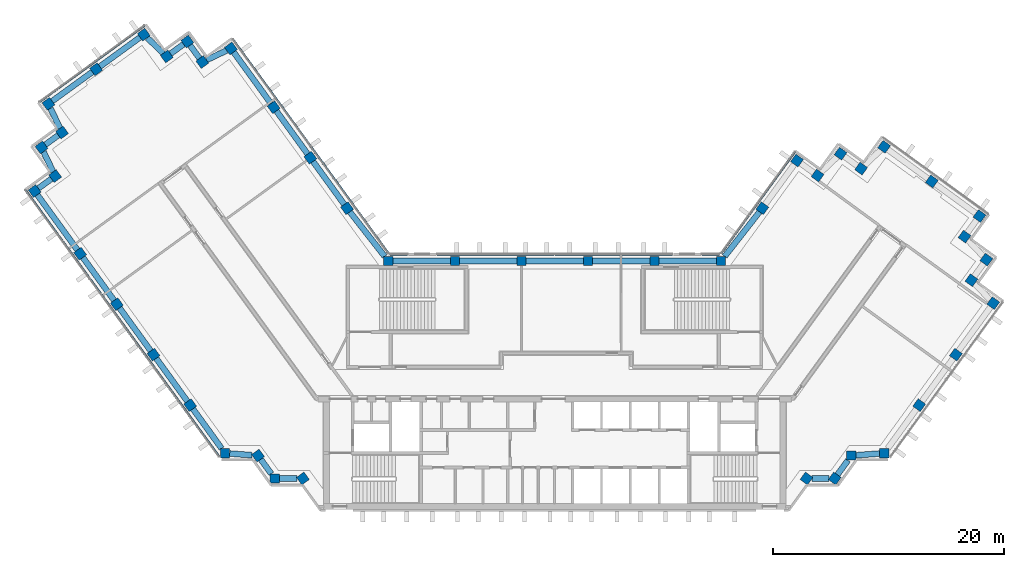
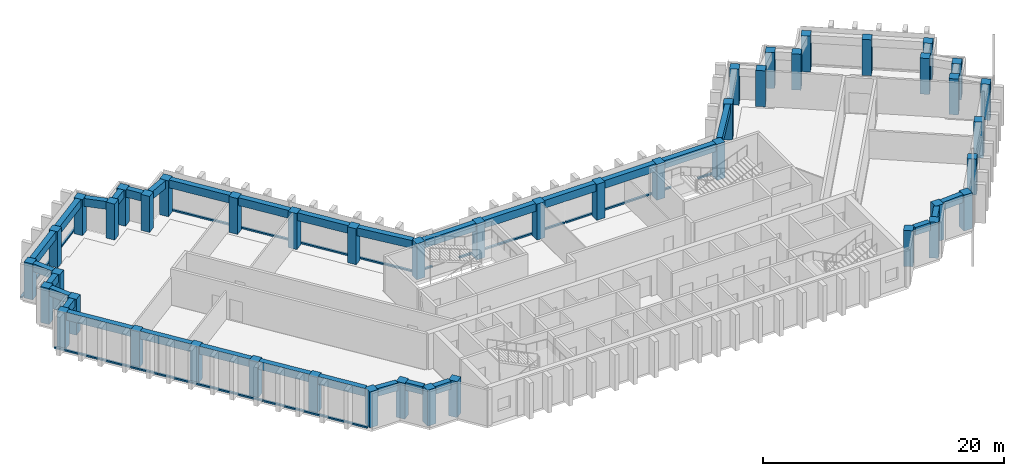
"""IFC4 building model written with IfcOpenShell, lengths in metres."""

from ifc_helpers import new_model, si_unit, direction, frame, origin, origin_2d, place, context, subcontext, project, spatial, rectangle, extrude, material, material_profile, profile_set, type_object, element, aggregate, save


model = new_model("IFC4")

# Units and contexts
model_context = context("Model", 3, precision=1e-05, world=origin(), true_north=direction((0.0, 1.0)))
body_context = subcontext(model_context, "Body", "Model", "MODEL_VIEW")
ifc_project = project(units=[si_unit("LENGTHUNIT", "METRE"), si_unit("AREAUNIT", "SQUARE_METRE"), si_unit("VOLUMEUNIT", "CUBIC_METRE"), si_unit("PLANEANGLEUNIT", "RADIAN"), si_unit("MASSUNIT", "GRAM", prefix="KILO")], contexts=[model_context])

# Site, building, storey
site_placement = place(None, origin())
site = spatial("IfcSite", under=ifc_project, at=site_placement, CompositionType="ELEMENT")
building_placement = place(site_placement, origin())
building = spatial("IfcBuilding", under=site, at=building_placement, Name="Quipu Civic Tower", CompositionType="ELEMENT")
storey_1_placement = place(building_placement, frame((0.0, 0.0, 214.0)))
storey_1 = spatial("IfcBuildingStorey", under=building, at=storey_1_placement, Name="L50", CompositionType="ELEMENT", Elevation=214.0)

# Columns
ifc_material_1 = material(Name="Concrete C50/60", Category="concrete")
ifc_material_profile_1 = material_profile(ifc_material_1, rectangle(XDim=0.800048828125, YDim=0.800048828125, at=origin_2d()), Name="RC800x800")
ifc_profile_set_1 = profile_set([ifc_material_profile_1], Name="Concrete C50/60")
column_type = type_object("IfcColumnType", Name="Perimeter column RC 800x800 C50/60", PredefinedType="COLUMN", material=ifc_profile_set_1)
for number, where, z_axis, x_axis, name in (
    (1, (-17.9736328125, 15.074951171875, 0.0), (0.0, 0.0, 1.0), (-0.587785252292, 0.809016994375, 0.0), "Column L50 W-IN-01"),
    (2, (-21.1474609375, 19.44384765625, 0.0), (0.0, 0.0, 1.0), (-0.587785252292, 0.809016994375, 0.0), "Column L50 W-IN-02"),
    (3, (-24.3212890625, 23.8125, 0.0), (0.0, 0.0, 1.0), (-0.587785252292, 0.809016994375, 0.0), "Column L50 W-IN-03"),
    (4, (-28.02001953125, 28.905029296875, 0.0), (0.0, 0.0, 1.0), (-0.809016994375, -0.587785252292, 0.0), "Column L50 T-Wi.0-W34"),
    (5, (-30.498779296875, 27.72265625, 0.0), (0.0, 0.0, 1.0), (-0.809016994375, -0.587785252292, 0.0), "Column L50 T-Wi.1-W34"),
    (6, (-31.794921875, 29.5, 0.0), (0.0, 0.0, 1.0), (-0.587785252292, 0.809016994375, 0.0), "Column L50 T-Wi.2-W34"),
    (7, (-33.573974609375, 28.20947265625, 0.0), (0.0, 0.0, 1.0), (-0.587785252292, 0.809016994375, 0.0), "Column L50 T-Wi.3-W34"),
    (8, (-35.56494140625, 30.10009765625, 0.0), (0.0, 0.0, 1.0), (-0.809016994375, -0.587785252292, 0.0), "Column L50 T-Wi.4-W34"),
    (9, (-39.690673828125, 27.10205078125, 0.0), (0.0, 0.0, 1.0), (-0.809016994375, -0.587785252292, 0.0), "Column L50 TIP-W-01-W34"),
    (10, (-43.81494140625, 24.10498046875, 0.0), (0.0, 0.0, 1.0), (-0.809016994375, -0.587785252292, 0.0), "Column L50 T-Wo.0-W34"),
    (11, (-42.635009765625, 21.626220703125, 0.0), (0.0, 0.0, 1.0), (-0.809016994375, -0.587785252292, 0.0), "Column L50 T-Wo.1-W34"),
    (12, (-44.4150390625, 20.3349609375, 0.0), (0.0, 0.0, 1.0), (0.587785252292, -0.809016994375, 0.0), "Column L50 T-Wo.2-W34"),
    (13, (-43.23095703125, 17.8544921875, 0.0), (0.0, 0.0, 1.0), (0.587785252292, -0.809016994375, 0.0), "Column L50 T-Wo.3-W34"),
    (14, (-45.010009765625, 16.56005859375, 0.0), (0.0, 0.0, 1.0), (0.587785252292, -0.809016994375, 0.0), "Column L50 T-Wo.4-W34"),
    (15, (-41.0703125, 11.137451171875, 0.0), (0.0, 0.0, 1.0), (0.587785252292, -0.809016994375, 0.0), "Column L50 W-OUT-04"),
    (16, (-37.896240234375, 6.768798828125, 0.0), (0.0, 0.0, 1.0), (0.587785252292, -0.809016994375, 0.0), "Column L50 W-OUT-03"),
    (17, (-34.722412109375, 2.39990234375, 0.0), (0.0, 0.0, 1.0), (0.587785252292, -0.809016994375, 0.0), "Column L50 W-OUT-02"),
    (18, (-31.54833984375, -1.96875, 0.0), (0.0, 0.0, 1.0), (0.587785252292, -0.809016994375, 0.0), "Column L50 W-OUT-01"),
    (19, (-28.52490234375, -6.1298828125, 0.0), (0.0, 0.0, 1.0), (1.0, 0.0, 0.0), "Column L50 J-Wo.0"),
    (20, (-25.67431640625, -6.3369140625, 0.0), (0.0, 0.0, 1.0), (0.587785252292, -0.809016994375, 0.0), "Column L50 J-Wo.1"),
    (21, (-24.235107421875, -8.31494140625, 0.0), (0.0, 0.0, 1.0), (1.0, 0.0, 0.0), "Column L50 J-Wo.2"),
    (22, (-21.791748046875, -8.31494140625, 0.0), (0.0, 0.0, 1.0), (0.587785252292, -0.809016994375, 0.0), "Column L50 J-Wo.3"),
    (23, (21.791748046875, -8.31494140625, 0.0), (0.0, 0.0, 1.0), (0.587785252292, 0.809016994375, 0.0), "Column L50 J-Eo.1"),
    (24, (24.235107421875, -8.31494140625, 0.0), (0.0, 0.0, 1.0), (0.587785252292, 0.809016994375, 0.0), "Column L50 J-Eo.2"),
    (25, (25.67431640625, -6.3369140625, 0.0), (0.0, 0.0, 1.0), (1.0, 0.0, 0.0), "Column L50 J-Eo.3"),
    (26, (28.52490234375, -6.1298828125, 0.0), (0.0, 0.0, 1.0), (1.0, 0.0, 0.0), "Column L50 J-Eo.4"),
    (27, (31.54833984375, -1.96875, 0.0), (0.0, 0.0, 1.0), (0.587785252292, 0.809016994375, 0.0), "Column L50 E-OUT-01"),
    (28, (34.722412109375, 2.39990234375, 0.0), (0.0, 0.0, 1.0), (0.587785252292, 0.809016994375, 0.0), "Column L50 E-OUT-02"),
    (29, (37.9599609375, 6.85498046875, 0.0), (0.0, 0.0, 1.0), (0.587785252292, 0.809016994375, 0.0), "Column L50 T-Eo.0-E22"),
    (30, (36.068115234375, 8.843994140625, 0.0), (0.0, 0.0, 1.0), (0.587785252292, 0.809016994375, 0.0), "Column L50 T-Eo.1-E22"),
    (31, (37.360107421875, 10.625, 0.0), (0.0, 0.0, 1.0), (0.587785252292, 0.809016994375, 0.0), "Column L50 T-Eo.2-E22"),
    (32, (35.470703125, 12.616455078125, 0.0), (0.0, 0.0, 1.0), (-0.809016994375, 0.587785252292, 0.0), "Column L50 T-Eo.3-E22"),
    (33, (36.764892578125, 14.39501953125, 0.0), (0.0, 0.0, 1.0), (-0.809016994375, 0.587785252292, 0.0), "Column L50 T-Eo.4-E22"),
    (34, (32.636962890625, 17.39306640625, 0.0), (0.0, 0.0, 1.0), (-0.809016994375, 0.587785252292, 0.0), "Column L50 TIP-E-01-E22"),
    (35, (28.510009765625, 20.389892578125, 0.0), (0.0, 0.0, 1.0), (-0.587785252292, -0.809016994375, 0.0), "Column L50 T-Ei.0-E22"),
    (36, (26.51904296875, 18.50048828125, 0.0), (0.0, 0.0, 1.0), (-0.809016994375, 0.587785252292, 0.0), "Column L50 T-Ei.1-E22"),
    (37, (24.739990234375, 19.794921875, 0.0), (0.0, 0.0, 1.0), (-0.587785252292, -0.809016994375, 0.0), "Column L50 T-Ei.2-E22"),
    (38, (22.749267578125, 17.904296875, 0.0), (0.0, 0.0, 1.0), (-0.587785252292, -0.809016994375, 0.0), "Column L50 T-Ei.3-E22"),
    (39, (20.969970703125, 19.195068359375, 0.0), (0.0, 0.0, 1.0), (-0.587785252292, -0.809016994375, 0.0), "Column L50 T-Ei.4-E22"),
    (40, (17.9736328125, 15.074951171875, 0.0), (0.0, 0.0, 1.0), (-0.587785252292, -0.809016994375, 0.0), "Column L50 E-IN-01"),
    (41, (14.395263671875, 10.5, 0.0), (0.0, 0.0, 1.0), (-1.0, 0.0, 0.0), "Column L50 J-Ei.0"),
    (42, (8.63720703125, 10.5, 0.0), (0.0, 0.0, 1.0), (-1.0, 0.0, 0.0), "Column L50 FRONT-01"),
    (43, (2.87890625, 10.5, 0.0), (0.0, 0.0, 1.0), (-1.0, 0.0, 0.0), "Column L50 FRONT-02"),
    (44, (-2.87890625, 10.5, 0.0), (0.0, 0.0, 1.0), (-1.0, 0.0, 0.0), "Column L50 FRONT-03"),
    (45, (-8.63720703125, 10.5, 0.0), (0.0, 0.0, 1.0), (-1.0, 0.0, 0.0), "Column L50 FRONT-04"),
    (46, (-14.395263671875, 10.5, 0.0), (0.0, 0.0, 1.0), (-1.0, 0.0, 0.0), "Column L50 J-Wi.0"),
):
    element("IfcColumn", number, at=place(storey_1_placement, frame(where, z_axis=z_axis, x_axis=x_axis)), inside=storey_1, type_object=column_type, Name=name, PredefinedType="COLUMN", context=body_context, shape_type="SweptSolid", body=[
        extrude(rectangle(XDim=0.800048828125, YDim=0.800048828125, at=origin_2d()), origin(), (0.0, 0.0, 1.0), 3.64990234375),
    ])

# Beams
ifc_material_2 = material(Name="Concrete C50/60", Category="concrete")
ifc_material_profile_2 = material_profile(ifc_material_2, rectangle(XDim=0.5, YDim=0.800048828125, at=origin_2d()), Name="RC500x800")
ifc_profile_set_2 = profile_set([ifc_material_profile_2], Name="Concrete C50/60")
beam_type = type_object("IfcBeamType", Name="Spandrel beam RC 500x800 C50/60", PredefinedType="SPANDREL", material=ifc_profile_set_2)
beam_1_placement = place(storey_1_placement, frame((-18.208740234375, 15.398681640625, 3.25), z_axis=(-0.58776136044, 0.809034352283, 0.0), x_axis=(-0.809034352283, -0.58776136044, 0.0)))
element("IfcBeam", 47, at=beam_1_placement, inside=storey_1, type_object=beam_type, Name="Spandrel beam L50 W-IN-01 to W-IN-02", PredefinedType="SPANDREL", context=body_context, shape_type="SweptSolid", body=[
    extrude(rectangle(XDim=0.5, YDim=0.800048828125, at=origin_2d()), origin(), (0.0, 0.0, 1.0), 4.599853515625),
])
beam_2_placement = place(storey_1_placement, frame((-21.382568359375, 19.767333984375, 3.25), z_axis=(-0.587736122681, 0.809052686848, 0.0), x_axis=(-0.809052686848, -0.587736122681, 0.0)))
element("IfcBeam", 48, at=beam_2_placement, inside=storey_1, type_object=beam_type, Name="Spandrel beam L50 W-IN-02 to W-IN-03", PredefinedType="SPANDREL", context=body_context, shape_type="SweptSolid", body=[
    extrude(rectangle(XDim=0.5, YDim=0.800048828125, at=origin_2d()), origin(), (0.0, 0.0, 1.0), 4.60009765625),
])
beam_3_placement = place(storey_1_placement, frame((-24.556396484375, 24.13623046875, 3.25), z_axis=(-0.587664254196, 0.809104890815, 0.0), x_axis=(-0.809104890815, -0.587664254196, 0.0)))
element("IfcBeam", 49, at=beam_3_placement, inside=storey_1, type_object=beam_type, Name="Spandrel beam L50 W-IN-03 to T-Wi.0-W34", PredefinedType="SPANDREL", context=body_context, shape_type="SweptSolid", body=[
    extrude(rectangle(XDim=0.5, YDim=0.800048828125, at=origin_2d()), origin(), (0.0, 0.0, 1.0), 5.493896484375),
])
beam_4_placement = place(storey_1_placement, frame((-28.38720703125, 28.72998046875, 3.25), z_axis=(-0.902584802379, -0.430512107279, 0.0), x_axis=(0.430512107279, -0.902584802379, 0.0)))
element("IfcBeam", 50, at=beam_4_placement, inside=storey_1, type_object=beam_type, Name="Spandrel beam L50 T-Wi.0-W34 to T-Wi.1-W34", PredefinedType="SPANDREL", context=body_context, shape_type="SweptSolid", body=[
    extrude(rectangle(XDim=0.5, YDim=0.800048828125, at=origin_2d()), origin(), (0.0, 0.0, 1.0), 1.9326171875),
])
beam_5_placement = place(storey_1_placement, frame((-30.734375, 28.0458984375, 3.25), z_axis=(-0.589342949835, 0.80788296645, 0.0), x_axis=(-0.80788296645, -0.589342949835, 0.0)))
element("IfcBeam", 51, at=beam_5_placement, inside=storey_1, type_object=beam_type, Name="Spandrel beam L50 T-Wi.1-W34 to T-Wi.2-W34", PredefinedType="SPANDREL", context=body_context, shape_type="SweptSolid", body=[
    extrude(rectangle(XDim=0.5, YDim=0.800048828125, at=origin_2d()), origin(), (0.0, 0.0, 1.0), 1.39990234375),
])
beam_6_placement = place(storey_1_placement, frame((-32.118896484375, 29.26513671875, 3.25), z_axis=(-0.80941533633, -0.587236590578, 0.0), x_axis=(0.587236590578, -0.80941533633, 0.0)))
element("IfcBeam", 52, at=beam_6_placement, inside=storey_1, type_object=beam_type, Name="Spandrel beam L50 T-Wi.2-W34 to T-Wi.3-W34", PredefinedType="SPANDREL", context=body_context, shape_type="SweptSolid", body=[
    extrude(rectangle(XDim=0.5, YDim=0.800048828125, at=origin_2d()), origin(), (0.0, 0.0, 1.0), 1.397705078125),
])
beam_7_placement = place(storey_1_placement, frame((-33.868896484375, 28.489501953125, 3.25), z_axis=(-0.72519185421, 0.68854685722, 0.0), x_axis=(-0.68854685722, -0.72519185421, 0.0)))
element("IfcBeam", 53, at=beam_7_placement, inside=storey_1, type_object=beam_type, Name="Spandrel beam L50 T-Wi.3-W34 to T-Wi.4-W34", PredefinedType="SPANDREL", context=body_context, shape_type="SweptSolid", body=[
    extrude(rectangle(XDim=0.5, YDim=0.800048828125, at=origin_2d()), origin(), (0.0, 0.0, 1.0), 1.93212890625),
])
beam_8_placement = place(storey_1_placement, frame((-35.888671875, 29.86474609375, 3.25), z_axis=(-0.808983997561, -0.58783066583, 0.0), x_axis=(0.58783066583, -0.808983997561, 0.0)))
element("IfcBeam", 54, at=beam_8_placement, inside=storey_1, type_object=beam_type, Name="Spandrel beam L50 T-Wi.4-W34 to TIP-W-01-W34", PredefinedType="SPANDREL", context=body_context, shape_type="SweptSolid", body=[
    extrude(rectangle(XDim=0.5, YDim=0.800048828125, at=origin_2d()), origin(), (0.0, 0.0, 1.0), 4.2998046875),
])
beam_9_placement = place(storey_1_placement, frame((-40.014404296875, 26.866943359375, 3.25), z_axis=(-0.808947267178, -0.587881211578, 0.0), x_axis=(0.587881211578, -0.808947267178, 0.0)))
element("IfcBeam", 55, at=beam_9_placement, inside=storey_1, type_object=beam_type, Name="Spandrel beam L50 TIP-W-01-W34 to T-Wo.0-W34", PredefinedType="SPANDREL", context=body_context, shape_type="SweptSolid", body=[
    extrude(rectangle(XDim=0.5, YDim=0.800048828125, at=origin_2d()), origin(), (0.0, 0.0, 1.0), 4.29833984375),
])
beam_10_placement = place(storey_1_placement, frame((-43.64013671875, 23.737548828125, 3.25), z_axis=(0.429889421342, -0.902881545618, 0.0), x_axis=(0.902881545618, 0.429889421342, 0.0)))
element("IfcBeam", 56, at=beam_10_placement, inside=storey_1, type_object=beam_type, Name="Spandrel beam L50 T-Wo.0-W34 to T-Wo.1-W34", PredefinedType="SPANDREL", context=body_context, shape_type="SweptSolid", body=[
    extrude(rectangle(XDim=0.5, YDim=0.800048828125, at=origin_2d()), origin(), (0.0, 0.0, 1.0), 1.931396484375),
])
beam_11_placement = place(storey_1_placement, frame((-42.958740234375, 21.391357421875, 3.25), z_axis=(-0.809467380413, -0.587164849125, 0.0), x_axis=(0.587164849125, -0.809467380413, 0.0)))
element("IfcBeam", 57, at=beam_11_placement, inside=storey_1, type_object=beam_type, Name="Spandrel beam L50 T-Wo.1-W34 to T-Wo.2-W34", PredefinedType="SPANDREL", context=body_context, shape_type="SweptSolid", body=[
    extrude(rectangle(XDim=0.5, YDim=0.800048828125, at=origin_2d()), origin(), (0.0, 0.0, 1.0), 1.399169921875),
])
beam_12_placement = place(storey_1_placement, frame((-44.23974609375, 19.9677734375, 3.25), z_axis=(0.430785642718, -0.902454281406, 0.0), x_axis=(0.902454281406, 0.430785642718, 0.0)))
element("IfcBeam", 58, at=beam_12_placement, inside=storey_1, type_object=beam_type, Name="Spandrel beam L50 T-Wo.2-W34 to T-Wo.3-W34", PredefinedType="SPANDREL", context=body_context, shape_type="SweptSolid", body=[
    extrude(rectangle(XDim=0.5, YDim=0.800048828125, at=origin_2d()), origin(), (0.0, 0.0, 1.0), 1.934814453125),
])
beam_13_placement = place(storey_1_placement, frame((-43.554443359375, 17.619140625, 3.25), z_axis=(-0.808600329101, -0.588358315805, 0.0), x_axis=(0.588358315805, -0.808600329101, 0.0)))
element("IfcBeam", 59, at=beam_13_placement, inside=storey_1, type_object=beam_type, Name="Spandrel beam L50 T-Wo.3-W34 to T-Wo.4-W34", PredefinedType="SPANDREL", context=body_context, shape_type="SweptSolid", body=[
    extrude(rectangle(XDim=0.5, YDim=0.800048828125, at=origin_2d()), origin(), (0.0, 0.0, 1.0), 1.400146484375),
])
beam_14_placement = place(storey_1_placement, frame((-44.77490234375, 16.236328125, 3.25), z_axis=(0.58780026889, -0.809006083965, 0.0), x_axis=(0.809006083965, 0.58780026889, 0.0)))
element("IfcBeam", 60, at=beam_14_placement, inside=storey_1, type_object=beam_type, Name="Spandrel beam L50 T-Wo.4-W34 to W-OUT-04", PredefinedType="SPANDREL", context=body_context, shape_type="SweptSolid", body=[
    extrude(rectangle(XDim=0.5, YDim=0.800048828125, at=origin_2d()), origin(), (0.0, 0.0, 1.0), 5.902587890625),
])
beam_15_placement = place(storey_1_placement, frame((-40.835205078125, 10.81396484375, 3.25), z_axis=(0.587770861189, -0.809027449928, 0.0), x_axis=(0.809027449928, 0.587770861189, 0.0)))
element("IfcBeam", 61, at=beam_15_placement, inside=storey_1, type_object=beam_type, Name="Spandrel beam L50 W-OUT-04 to W-OUT-03", PredefinedType="SPANDREL", context=body_context, shape_type="SweptSolid", body=[
    extrude(rectangle(XDim=0.5, YDim=0.800048828125, at=origin_2d()), origin(), (0.0, 0.0, 1.0), 4.60009765625),
])
beam_16_placement = place(storey_1_placement, frame((-37.6611328125, 6.445068359375, 3.25), z_axis=(0.58776136044, -0.809034352283, 0.0), x_axis=(0.809034352283, 0.58776136044, 0.0)))
element("IfcBeam", 62, at=beam_16_placement, inside=storey_1, type_object=beam_type, Name="Spandrel beam L50 W-OUT-03 to W-OUT-02", PredefinedType="SPANDREL", context=body_context, shape_type="SweptSolid", body=[
    extrude(rectangle(XDim=0.5, YDim=0.800048828125, at=origin_2d()), origin(), (0.0, 0.0, 1.0), 4.599853515625),
])
beam_17_placement = place(storey_1_placement, frame((-34.4873046875, 2.076416015625, 3.25), z_axis=(0.587796098864, -0.809009113768, 0.0), x_axis=(0.809009113768, 0.587796098864, 0.0)))
element("IfcBeam", 63, at=beam_17_placement, inside=storey_1, type_object=beam_type, Name="Spandrel beam L50 W-OUT-02 to W-OUT-01", PredefinedType="SPANDREL", context=body_context, shape_type="SweptSolid", body=[
    extrude(rectangle(XDim=0.5, YDim=0.800048828125, at=origin_2d()), origin(), (0.0, 0.0, 1.0), 4.60009765625),
])
beam_18_placement = place(storey_1_placement, frame((-31.313232421875, -2.292236328125, 3.25), z_axis=(0.58776850526, -0.809029161541, 0.0), x_axis=(0.809029161541, 0.58776850526, 0.0)))
element("IfcBeam", 64, at=beam_18_placement, inside=storey_1, type_object=beam_type, Name="Spandrel beam L50 W-OUT-01 to J-Wo.0", PredefinedType="SPANDREL", context=body_context, shape_type="SweptSolid", body=[
    extrude(rectangle(XDim=0.5, YDim=0.800048828125, at=origin_2d()), origin(), (0.0, 0.0, 1.0), 4.249267578125),
])
beam_19_placement = place(storey_1_placement, frame((-28.125, -6.158935546875, 3.25), z_axis=(0.997370796499, -0.072467194581, 0.0), x_axis=(0.072467194581, 0.997370796499, 0.0)))
element("IfcBeam", 65, at=beam_19_placement, inside=storey_1, type_object=beam_type, Name="Spandrel beam L50 J-Wo.0 to J-Wo.1", PredefinedType="SPANDREL", context=body_context, shape_type="SweptSolid", body=[
    extrude(rectangle(XDim=0.5, YDim=0.800048828125, at=origin_2d()), origin(), (0.0, 0.0, 1.0), 1.933837890625),
])
beam_20_placement = place(storey_1_placement, frame((-25.43896484375, -6.660400390625, 3.25), z_axis=(0.588330737135, -0.808620395329, 0.0), x_axis=(0.808620395329, 0.588330737135, 0.0)))
element("IfcBeam", 66, at=beam_20_placement, inside=storey_1, type_object=beam_type, Name="Spandrel beam L50 J-Wo.1 to J-Wo.2", PredefinedType="SPANDREL", context=body_context, shape_type="SweptSolid", body=[
    extrude(rectangle(XDim=0.5, YDim=0.800048828125, at=origin_2d()), origin(), (0.0, 0.0, 1.0), 1.551513671875),
])
beam_21_placement = place(storey_1_placement, frame((-23.8349609375, -8.31494140625, 3.25), z_axis=(1.0, 0.0, 0.0), x_axis=(0.0, 1.0, 0.0)))
element("IfcBeam", 67, at=beam_21_placement, inside=storey_1, type_object=beam_type, Name="Spandrel beam L50 J-Wo.2 to J-Wo.3", PredefinedType="SPANDREL", context=body_context, shape_type="SweptSolid", body=[
    extrude(rectangle(XDim=0.5, YDim=0.800048828125, at=origin_2d()), origin(), (0.0, 0.0, 1.0), 1.548828125),
])
beam_22_placement = place(storey_1_placement, frame((22.2861328125, -8.31494140625, 3.25), z_axis=(1.0, 0.0, 0.0), x_axis=(0.0, 1.0, 0.0)))
element("IfcBeam", 68, at=beam_22_placement, inside=storey_1, type_object=beam_type, Name="Spandrel beam L50 J-Eo.1 to J-Eo.2", PredefinedType="SPANDREL", context=body_context, shape_type="SweptSolid", body=[
    extrude(rectangle(XDim=0.5, YDim=0.800048828125, at=origin_2d()), origin(), (0.0, 0.0, 1.0), 1.454345703125),
])
beam_23_placement = place(storey_1_placement, frame((24.470458984375, -7.991455078125, 3.25), z_axis=(0.588405601119, 0.808565920981, 0.0), x_axis=(-0.808565920981, 0.588405601119, 0.0)))
element("IfcBeam", 69, at=beam_23_placement, inside=storey_1, type_object=beam_type, Name="Spandrel beam L50 J-Eo.2 to J-Eo.3", PredefinedType="SPANDREL", context=body_context, shape_type="SweptSolid", body=[
    extrude(rectangle(XDim=0.5, YDim=0.800048828125, at=origin_2d()), origin(), (0.0, 0.0, 1.0), 1.55126953125),
])
beam_24_placement = place(storey_1_placement, frame((26.074462890625, -6.307861328125, 3.25), z_axis=(0.997372997143, 0.072436900614, 0.0), x_axis=(-0.072436900614, 0.997372997143, 0.0)))
element("IfcBeam", 70, at=beam_24_placement, inside=storey_1, type_object=beam_type, Name="Spandrel beam L50 J-Eo.3 to J-Eo.4", PredefinedType="SPANDREL", context=body_context, shape_type="SweptSolid", body=[
    extrude(rectangle(XDim=0.5, YDim=0.800048828125, at=origin_2d()), origin(), (0.0, 0.0, 1.0), 2.055908203125),
])
beam_25_placement = place(storey_1_placement, frame((17.72705078125, 14.759765625, 3.25), z_axis=(-0.616090612932, -0.787675286306, 0.0), x_axis=(0.787675286306, -0.616090612932, 0.0)))
element("IfcBeam", 71, at=beam_25_placement, inside=storey_1, type_object=beam_type, Name="Spandrel beam L50 E-IN-01 to J-Ei.0", PredefinedType="SPANDREL", context=body_context, shape_type="SweptSolid", body=[
    extrude(rectangle(XDim=0.5, YDim=0.800048828125, at=origin_2d()), origin(), (0.0, 0.0, 1.0), 4.900390625),
])
for number, where, z_axis, x_axis, name in (
    (72, (13.9951171875, 10.5, 3.25), (-1.0, 0.0, 0.0), (0.0, -1.0, 0.0), "Spandrel beam L50 J-Ei.0 to FRONT-01"),
    (73, (8.237060546875, 10.5, 3.25), (-1.0, 0.0, 0.0), (0.0, -1.0, 0.0), "Spandrel beam L50 FRONT-01 to FRONT-02"),
    (74, (2.47900390625, 10.5, 3.25), (-1.0, 0.0, 0.0), (0.0, -1.0, 0.0), "Spandrel beam L50 FRONT-02 to FRONT-03"),
    (75, (-3.279052734375, 10.5, 3.25), (-1.0, 0.0, 0.0), (0.0, -1.0, 0.0), "Spandrel beam L50 FRONT-03 to FRONT-04"),
    (76, (-9.037109375, 10.5, 3.25), (-1.0, 0.0, 0.0), (0.0, -1.0, 0.0), "Spandrel beam L50 FRONT-04 to J-Wi.0"),
):
    element("IfcBeam", number, at=place(storey_1_placement, frame(where, z_axis=z_axis, x_axis=x_axis)), inside=storey_1, type_object=beam_type, Name=name, PredefinedType="SPANDREL", context=body_context, shape_type="SweptSolid", body=[
        extrude(rectangle(XDim=0.5, YDim=0.800048828125, at=origin_2d()), origin(), (0.0, 0.0, 1.0), 4.9580078125),
    ])
beam_26_placement = place(storey_1_placement, frame((-14.7080078125, 10.89990234375, 3.25), z_axis=(-0.616090612932, 0.787675286306, 0.0), x_axis=(-0.787675286306, -0.616090612932, 0.0)))
element("IfcBeam", 77, at=beam_26_placement, inside=storey_1, type_object=beam_type, Name="Spandrel beam L50 J-Wi.0 to W-IN-01", PredefinedType="SPANDREL", context=body_context, shape_type="SweptSolid", body=[
    extrude(rectangle(XDim=0.5, YDim=0.800048828125, at=origin_2d()), origin(), (0.0, 0.0, 1.0), 4.900390625),
])

# Storey
storey_2_placement = place(building_placement, frame((0.0, 0.0, 210.0)))
storey_2 = spatial("IfcBuildingStorey", under=building, at=storey_2_placement, Name="L49", CompositionType="ELEMENT", Elevation=210.0)

# Curtain wall, members
ifc_material_3 = material(Name="Insulated glass unit", Category="glass")
curtain_wall_type = type_object("IfcCurtainWallType", Name="Office curtain wall CW1", PredefinedType="NOTDEFINED", material=ifc_material_3)
curtain_wall_1_placement = place(storey_2_placement, origin())
curtain_wall_1 = element("IfcCurtainWall", 78, at=curtain_wall_1_placement, inside=storey_2, type_object=curtain_wall_type, Name="Office curtain wall CW1 L48 run 8", PredefinedType="NOTDEFINED")
ifc_material_4 = material(Name="Anodised aluminium", Category="aluminium")
ifc_material_profile_3 = material_profile(ifc_material_4, rectangle(XDim=0.199951171875, YDim=0.159912109375, at=origin_2d()), Name="RECT 200x160")
ifc_profile_set_3 = profile_set([ifc_material_profile_3], Name="Anodised aluminium")
member_type = type_object("IfcMemberType", Name="Transom CW1", PredefinedType="USERDEFINED", material=ifc_profile_set_3)
member_1_placement = place(storey_1_placement, frame((-14.39111328125, 11.164794921875, 0.080078125), z_axis=(-0.587799878401, 0.809006367683, 0.0), x_axis=(-0.809006367683, -0.587799878401, 0.0)))
member_1 = element("IfcMember", 79, at=member_1_placement, inside=storey_1, type_object=member_type, Name="CW1 transom 1.3", ObjectType="TRANSOM", PredefinedType="USERDEFINED", context=body_context, shape_type="SweptSolid", body=[
    extrude(rectangle(XDim=0.199951171875, YDim=0.159912109375, at=origin_2d()), origin(), (0.0, 0.0, 1.0), 11.402099609375),
])
member_2_placement = place(storey_1_placement, frame((-21.140380859375, 20.453857421875, 0.080078125), z_axis=(-0.587775682251, 0.809023947331, 0.0), x_axis=(-0.809023947331, -0.587775682251, 0.0)))
member_2 = element("IfcMember", 80, at=member_2_placement, inside=storey_1, type_object=member_type, Name="CW1 transom 2.3", ObjectType="TRANSOM", PredefinedType="USERDEFINED", context=body_context, shape_type="SweptSolid", body=[
    extrude(rectangle(XDim=0.199951171875, YDim=0.159912109375, at=origin_2d()), origin(), (0.0, 0.0, 1.0), 11.402099609375),
])
aggregate(curtain_wall_1, [member_1, member_2])

# Curtain wall, member
curtain_wall_2_placement = place(storey_2_placement, origin())
curtain_wall_2 = element("IfcCurtainWall", 81, at=curtain_wall_2_placement, inside=storey_2, type_object=curtain_wall_type, Name="Office curtain wall CW1 L48 run 13", PredefinedType="NOTDEFINED")
member_3_placement = place(storey_1_placement, frame((-35.496826171875, 30.890869140625, 0.080078125), z_axis=(-0.809014959561, -0.587788052963, 0.0), x_axis=(0.587788052963, -0.809014959561, 0.0)))
member_3 = element("IfcMember", 82, at=member_3_placement, inside=storey_1, type_object=member_type, Name="CW1 transom 1.3", ObjectType="TRANSOM", PredefinedType="USERDEFINED", context=body_context, shape_type="SweptSolid", body=[
    extrude(rectangle(XDim=0.199951171875, YDim=0.159912109375, at=origin_2d()), origin(), (0.0, 0.0, 1.0), 11.239990234375),
])
aggregate(curtain_wall_2, [member_3])

# Curtain wall, members
curtain_wall_3_placement = place(storey_2_placement, origin())
curtain_wall_3 = element("IfcCurtainWall", 83, at=curtain_wall_3_placement, inside=storey_2, type_object=curtain_wall_type, Name="Office curtain wall CW1 L48 run 18", PredefinedType="NOTDEFINED")
member_4_placement = place(storey_1_placement, frame((-45.802490234375, 16.629638671875, 0.080078125), z_axis=(0.587783783239, -0.809018061703, 0.0), x_axis=(0.809018061703, 0.587783783239, 0.0)))
member_4 = element("IfcMember", 84, at=member_4_placement, inside=storey_1, type_object=member_type, Name="CW1 transom 1.3", ObjectType="TRANSOM", PredefinedType="USERDEFINED", context=body_context, shape_type="SweptSolid", body=[
    extrude(rectangle(XDim=0.199951171875, YDim=0.159912109375, at=origin_2d()), origin(), (0.0, 0.0, 1.0), 9.431884765625),
])
member_5_placement = place(storey_1_placement, frame((-40.21142578125, 8.934326171875, 0.080078125), z_axis=(0.587773158676, -0.809025780763, 0.0), x_axis=(0.809025780763, 0.587773158676, 0.0)))
member_5 = element("IfcMember", 85, at=member_5_placement, inside=storey_1, type_object=member_type, Name="CW1 transom 2.3", ObjectType="TRANSOM", PredefinedType="USERDEFINED", context=body_context, shape_type="SweptSolid", body=[
    extrude(rectangle(XDim=0.199951171875, YDim=0.159912109375, at=origin_2d()), origin(), (0.0, 0.0, 1.0), 9.471923828125),
])
member_6_placement = place(storey_1_placement, frame((-34.596923828125, 1.20654296875, 0.080078125), z_axis=(0.587783783239, -0.809018061703, 0.0), x_axis=(0.809018061703, 0.587783783239, 0.0)))
member_6 = element("IfcMember", 86, at=member_6_placement, inside=storey_1, type_object=member_type, Name="CW1 transom 3.3", ObjectType="TRANSOM", PredefinedType="USERDEFINED", context=body_context, shape_type="SweptSolid", body=[
    extrude(rectangle(XDim=0.199951171875, YDim=0.159912109375, at=origin_2d()), origin(), (0.0, 0.0, 1.0), 9.431884765625),
])
aggregate(curtain_wall_3, [member_4, member_5, member_6])

# Curtain wall, member
curtain_wall_4_placement = place(storey_2_placement, origin())
curtain_wall_4 = element("IfcCurtainWall", 87, at=curtain_wall_4_placement, inside=storey_2, type_object=curtain_wall_type, Name="Office curtain wall CW1 L48 run 33", PredefinedType="NOTDEFINED")
member_7_placement = place(storey_1_placement, frame((20.788818359375, 19.97021484375, 0.080078125), z_axis=(-0.587796859727, -0.809008560953, 0.0), x_axis=(0.809008560953, -0.587796859727, 0.0)))
member_7 = element("IfcMember", 88, at=member_7_placement, inside=storey_1, type_object=member_type, Name="CW1 transom 1.3", ObjectType="TRANSOM", PredefinedType="USERDEFINED", context=body_context, shape_type="SweptSolid", body=[
    extrude(rectangle(XDim=0.199951171875, YDim=0.159912109375, at=origin_2d()), origin(), (0.0, 0.0, 1.0), 10.88427734375),
])
aggregate(curtain_wall_4, [member_7])

curtain_wall_5_placement = place(storey_2_placement, origin())
curtain_wall_5 = element("IfcCurtainWall", 89, at=curtain_wall_5_placement, inside=storey_2, type_object=curtain_wall_type, Name="Office curtain wall CW1 L48 run 34", PredefinedType="NOTDEFINED")
member_8_placement = place(storey_1_placement, frame((14.26416015625, 11.10009765625, 0.080078125), z_axis=(-1.0, 0.0, 0.0), x_axis=(0.0, -1.0, 0.0)))
member_8 = element("IfcMember", 90, at=member_8_placement, inside=storey_1, type_object=member_type, Name="CW1 transom 1.3", ObjectType="TRANSOM", PredefinedType="USERDEFINED", context=body_context, shape_type="SweptSolid", body=[
    extrude(rectangle(XDim=0.199951171875, YDim=0.159912109375, at=origin_2d()), origin(), (0.0, 0.0, 1.0), 1.529052734375),
])
aggregate(curtain_wall_5, [member_8])

# Curtain wall, members
curtain_wall_6_placement = place(storey_2_placement, origin())
curtain_wall_6 = element("IfcCurtainWall", 91, at=curtain_wall_6_placement, inside=storey_2, type_object=curtain_wall_type, Name="Office curtain wall CW1 L48 run 36", PredefinedType="NOTDEFINED")
member_9_placement = place(storey_1_placement, frame((10.18359375, 11.10009765625, 0.080078125), z_axis=(-1.0, 0.0, 0.0), x_axis=(0.0, -1.0, 0.0)))
member_9 = element("IfcMember", 92, at=member_9_placement, inside=storey_1, type_object=member_type, Name="CW1 transom 1.3", ObjectType="TRANSOM", PredefinedType="USERDEFINED", context=body_context, shape_type="SweptSolid", body=[
    extrude(rectangle(XDim=0.199951171875, YDim=0.159912109375, at=origin_2d()), origin(), (0.0, 0.0, 1.0), 10.1435546875),
])
member_10_placement = place(storey_1_placement, frame((-0.0400390625, 11.10009765625, 0.080078125), z_axis=(-1.0, 0.0, 0.0), x_axis=(0.0, -1.0, 0.0)))
member_10 = element("IfcMember", 93, at=member_10_placement, inside=storey_1, type_object=member_type, Name="CW1 transom 2.3", ObjectType="TRANSOM", PredefinedType="USERDEFINED", context=body_context, shape_type="SweptSolid", body=[
    extrude(rectangle(XDim=0.199951171875, YDim=0.159912109375, at=origin_2d()), origin(), (0.0, 0.0, 1.0), 10.1435546875),
])
aggregate(curtain_wall_6, [member_9, member_10])

# Curtain wall, member
curtain_wall_7_placement = place(storey_2_placement, origin())
curtain_wall_7 = element("IfcCurtainWall", 94, at=curtain_wall_7_placement, inside=storey_2, type_object=curtain_wall_type, Name="Office curtain wall CW1 L48 run 38", PredefinedType="NOTDEFINED")
member_11_placement = place(storey_1_placement, frame((-12.735107421875, 11.10009765625, 0.080078125), z_axis=(-1.0, 0.0, 0.0), x_axis=(0.0, -1.0, 0.0)))
member_11 = element("IfcMember", 95, at=member_11_placement, inside=storey_1, type_object=member_type, Name="CW1 transom 1.3", ObjectType="TRANSOM", PredefinedType="USERDEFINED", context=body_context, shape_type="SweptSolid", body=[
    extrude(rectangle(XDim=0.199951171875, YDim=0.159912109375, at=origin_2d()), origin(), (0.0, 0.0, 1.0), 1.529052734375),
])
aggregate(curtain_wall_7, [member_11])

save(model, "model.ifc")
